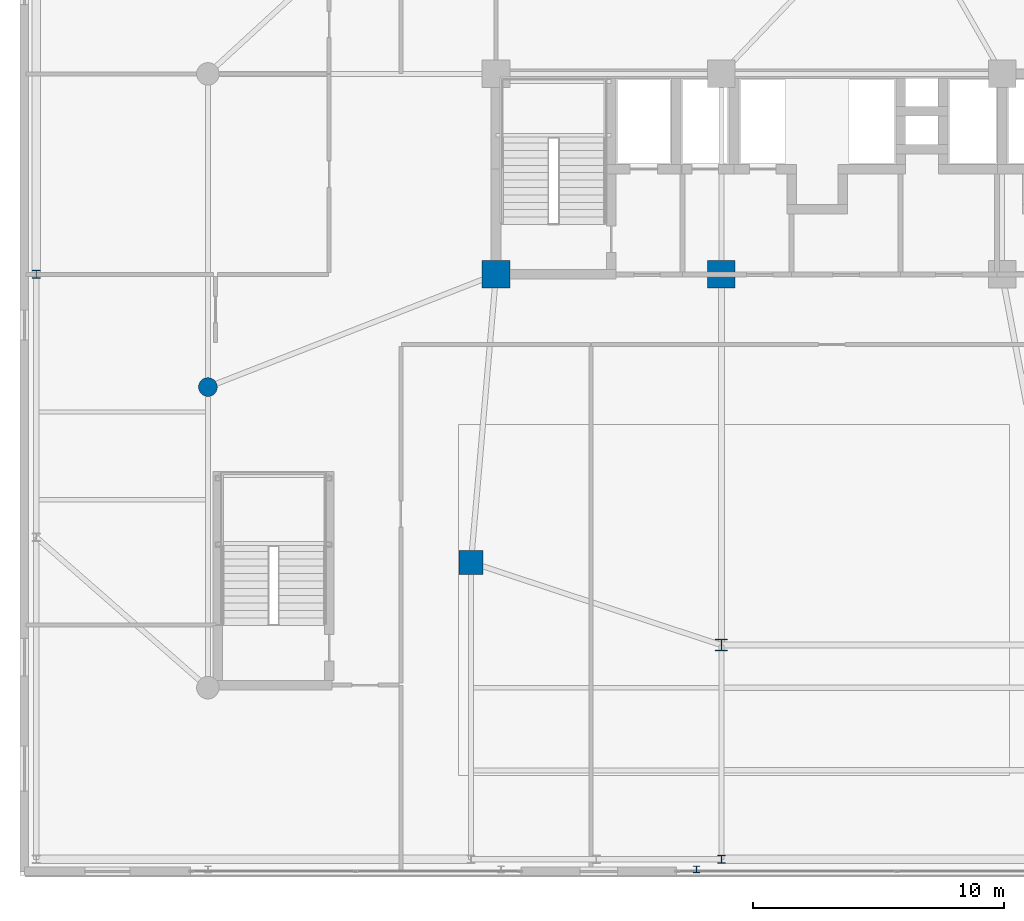
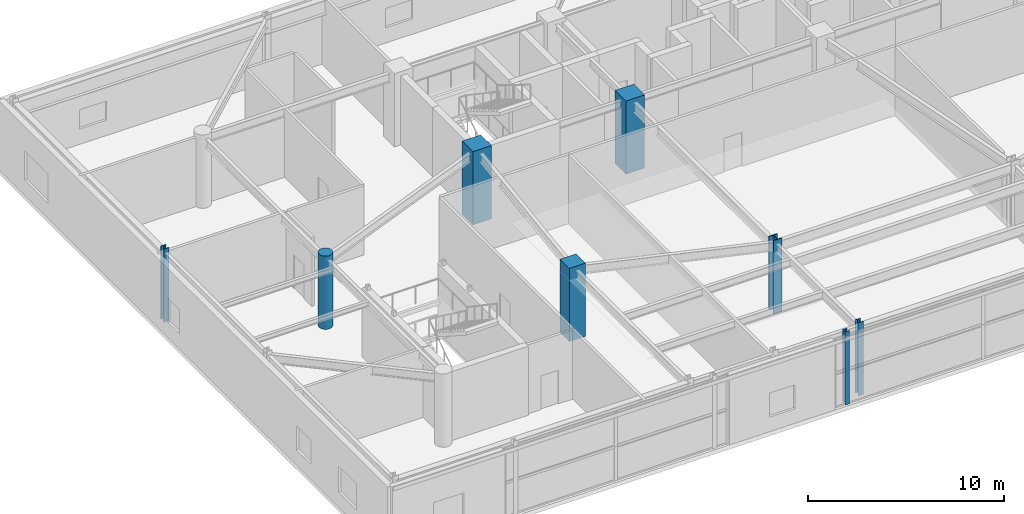
# One storey, part 2 of 26: 8 columns.
"""IFC4 building model written with IfcOpenShell, lengths in metres."""

from ifc_helpers import new_model, si_unit, direction, frame, origin, origin_2d, place, context, subcontext, project, spatial, rectangle, circle, i_section, extrude, source, transform, mapped, material, material_profile, profile_set, type_object, element, save


model = new_model("IFC4")

# Units and contexts
model_context = context("Model", 3, precision=1e-05, world=origin(), true_north=direction((0.0, 1.0)))
body_context = subcontext(model_context, "Body", "Model", "MODEL_VIEW")
ifc_project = project(units=[si_unit("LENGTHUNIT", "METRE"), si_unit("AREAUNIT", "SQUARE_METRE"), si_unit("VOLUMEUNIT", "CUBIC_METRE"), si_unit("PLANEANGLEUNIT", "RADIAN"), si_unit("MASSUNIT", "GRAM", prefix="KILO")], contexts=[model_context])

# Site, building, storey
site_placement = place(None, origin())
site = spatial("IfcSite", under=ifc_project, at=site_placement, CompositionType="ELEMENT")
building_placement = place(site_placement, origin())
building = spatial("IfcBuilding", under=site, at=building_placement, Name="Taldren Reach Tower", CompositionType="ELEMENT")
storey_placement = place(building_placement, frame((0.0, 0.0, 8.39990234375)))
storey = spatial("IfcBuildingStorey", under=building, at=storey_placement, Name="L02", CompositionType="ELEMENT", Elevation=8.39990234375)

# Columns
ifc_material_1 = material(Name="Concrete S100 (100 MPa)", Category="concrete")
ifc_material_profile_1 = material_profile(ifc_material_1, rectangle(XDim=1.10009765625, YDim=1.10009765625, at=origin_2d()), Name="RC-1100x1100")
ifc_profile_set_1 = profile_set([ifc_material_profile_1], Name="Concrete S100 (100 MPa)")
column_type_1 = type_object("IfcColumnType", Name="COL-RC1100", PredefinedType="COLUMN", material=ifc_profile_set_1)
shared_shape_1 = source(origin(), body_context, "Body", "SweptSolid", [
    extrude(rectangle(XDim=1.10009765625, YDim=1.10009765625, at=origin_2d()), origin(), (0.0, 0.0, 1.0), 4.550048828125),
])
for number, where, z_axis, x_axis, name in (
    (1, (19.0, 24.0, 0.0), (0.0, 0.0, 1.0), (1.0, 0.0, 0.0), "Mega column MC-C1 L02"),
    (2, (28.0, 24.0, 0.0), (0.0, 0.0, 1.0), (1.0, 0.0, 0.0), "Mega column MC-C2 L02"),
):
    element("IfcColumn", number, at=place(storey_placement, frame(where, z_axis=z_axis, x_axis=x_axis)), inside=storey, type_object=column_type_1, Name=name, PredefinedType="COLUMN", context=body_context, shape_type="MappedRepresentation", body=[
        mapped(shared_shape_1, transform((0.0, 0.0, 0.0), scale=1.0)),
    ])
ifc_material_2 = material(Name="Steel Gr 350 (350PLUS)", Category="steel")
ifc_material_profile_2 = material_profile(ifc_material_2, i_section(OverallWidth=0.5, OverallDepth=0.47998046875, WebThickness=0.028076171875, FlangeThickness=0.0439453125, at=origin_2d()), Name="500WC440")
ifc_profile_set_2 = profile_set([ifc_material_profile_2], Name="Steel Gr 350 (350PLUS)")
column_type_2 = type_object("IfcColumnType", Name="COL-WC500A", PredefinedType="COLUMN", material=ifc_profile_set_2)
shared_shape_2 = source(origin(), body_context, "Body", "SweptSolid", [
    extrude(i_section(OverallWidth=0.5, OverallDepth=0.47998046875, WebThickness=0.028076171875, FlangeThickness=0.0439453125, at=origin_2d()), origin(), (0.0, 0.0, 1.0), 4.550048828125),
])
column_1_placement = place(storey_placement, frame((28.0, 9.199951171875, 0.0), z_axis=(0.0, 0.0, 1.0), x_axis=(1.0, 0.0, 0.0)))
element("IfcColumn", 3, at=column_1_placement, inside=storey, type_object=column_type_2, Name="Mega column MC-PJW L02", PredefinedType="COLUMN", context=body_context, shape_type="MappedRepresentation", body=[
    mapped(shared_shape_2, transform((0.0, 0.0, 0.0), scale=1.0)),
])
ifc_material_3 = material(Name="Concrete S80 (80 MPa)", Category="concrete")
ifc_material_profile_3 = material_profile(ifc_material_3, rectangle(XDim=0.949951171875, YDim=0.949951171875, at=origin_2d()), Name="RC-950x950")
ifc_profile_set_3 = profile_set([ifc_material_profile_3], Name="Concrete S80 (80 MPa)")
column_type_3 = type_object("IfcColumnType", Name="COL-RC950", PredefinedType="COLUMN", material=ifc_profile_set_3)
shared_shape_3 = source(origin(), body_context, "Body", "SweptSolid", [
    extrude(rectangle(XDim=0.949951171875, YDim=0.949951171875, at=origin_2d()), origin(), (0.0, 0.0, 1.0), 4.550048828125),
])
column_2_placement = place(storey_placement, frame((18.0, 12.5, 0.0), z_axis=(0.0, 0.0, 1.0), x_axis=(1.0, 0.0, 0.0)))
element("IfcColumn", 4, at=column_2_placement, inside=storey, type_object=column_type_3, Name="Mega column MC-SW L02", PredefinedType="COLUMN", context=body_context, shape_type="MappedRepresentation", body=[
    mapped(shared_shape_3, transform((0.0, 0.0, 0.0), scale=1.0)),
])
ifc_material_4 = material(Name="Concrete S65 (65 MPa)", Category="concrete")
ifc_material_profile_4 = material_profile(ifc_material_4, circle(Radius=0.375, at=origin_2d()), Name="RC-750D")
ifc_profile_set_4 = profile_set([ifc_material_profile_4], Name="Concrete S65 (65 MPa)")
column_type_4 = type_object("IfcColumnType", Name="COL-RCD750", PredefinedType="COLUMN", material=ifc_profile_set_4)
shared_shape_4 = source(origin(), body_context, "Body", "SweptSolid", [
    extrude(circle(Radius=0.375, at=origin_2d()), origin(), (0.0, 0.0, 1.0), 4.550048828125),
])
column_3_placement = place(storey_placement, frame((7.5, 19.5, 0.0), z_axis=(0.0, 0.0, 1.0), x_axis=(1.0, 0.0, 0.0)))
element("IfcColumn", 5, at=column_3_placement, inside=storey, type_object=column_type_4, Name="Podium structural column PG-2 L02", PredefinedType="COLUMN", context=body_context, shape_type="MappedRepresentation", body=[
    mapped(shared_shape_4, transform((0.0, 0.0, 0.0), scale=1.0)),
])
ifc_material_profile_5 = material_profile(ifc_material_2, i_section(OverallWidth=0.31103515625, OverallDepth=0.326904296875, WebThickness=0.015625, FlangeThickness=0.02490234375, at=origin_2d()), Name="310UC158")
ifc_profile_set_5 = profile_set([ifc_material_profile_5], Name="Steel Gr 350 (350PLUS)")
column_type_5 = type_object("IfcColumnType", Name="COL-UC310A", PredefinedType="COLUMN", material=ifc_profile_set_5)
shared_shape_5 = source(origin(), body_context, "Body", "SweptSolid", [
    extrude(i_section(OverallWidth=0.31103515625, OverallDepth=0.326904296875, WebThickness=0.015625, FlangeThickness=0.02490234375, at=origin_2d()), origin(), (0.0, 0.0, 1.0), 4.550048828125),
])
for number, where, z_axis, x_axis, name in (
    (6, (28.0, 0.64990234375, 0.0), (0.0, 0.0, 1.0), (1.0, 0.0, 0.0), "Podium structural column PG-7 L02"),
    (7, (0.64990234375, 24.0, 0.0), (0.0, 0.0, 1.0), (1.0, 0.0, 0.0), "Podium structural column PP-W3 L02"),
):
    element("IfcColumn", number, at=place(storey_placement, frame(where, z_axis=z_axis, x_axis=x_axis)), inside=storey, type_object=column_type_5, Name=name, PredefinedType="COLUMN", context=body_context, shape_type="MappedRepresentation", body=[
        mapped(shared_shape_5, transform((0.0, 0.0, 0.0), scale=1.0)),
    ])
ifc_material_profile_6 = material_profile(ifc_material_2, i_section(OverallWidth=0.256103515625, OverallDepth=0.260009765625, WebThickness=0.010498046875, FlangeThickness=0.017333984375, at=origin_2d()), Name="250UC89.5")
ifc_profile_set_6 = profile_set([ifc_material_profile_6], Name="Steel Gr 350 (350PLUS)")
column_type_6 = type_object("IfcColumnType", Name="PIL-UC250", PredefinedType="PILASTER", material=ifc_profile_set_6)
shared_shape_6 = source(origin(), body_context, "Body", "SweptSolid", [
    extrude(i_section(OverallWidth=0.256103515625, OverallDepth=0.260009765625, WebThickness=0.010498046875, FlangeThickness=0.017333984375, at=origin_2d()), origin(), (0.0, 0.0, 1.0), 4.550048828125),
])
column_4_placement = place(storey_placement, frame((27.0, 0.25, 0.0), z_axis=(0.0, 0.0, 1.0), x_axis=(1.0, 0.0, 0.0)))
element("IfcColumn", 8, at=column_4_placement, inside=storey, type_object=column_type_6, Name="Waterfront colonnade pilaster S-27.0 L02", PredefinedType="PILASTER", context=body_context, shape_type="MappedRepresentation", body=[
    mapped(shared_shape_6, transform((0.0, 0.0, 0.0), scale=1.0)),
])

save(model, "model.ifc")
